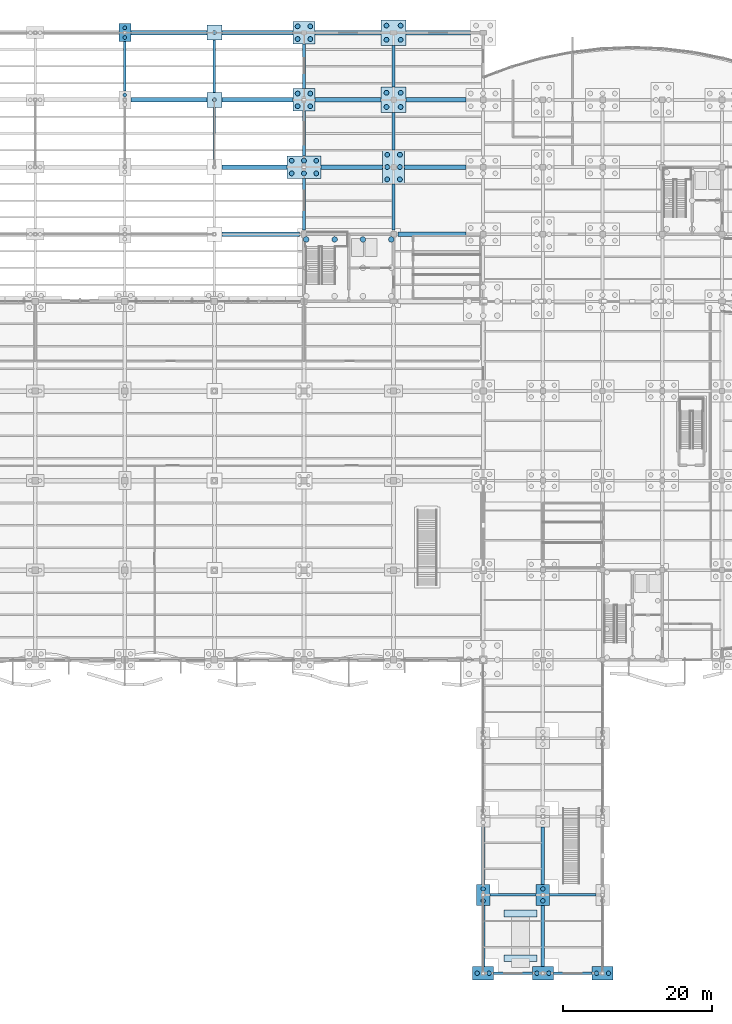
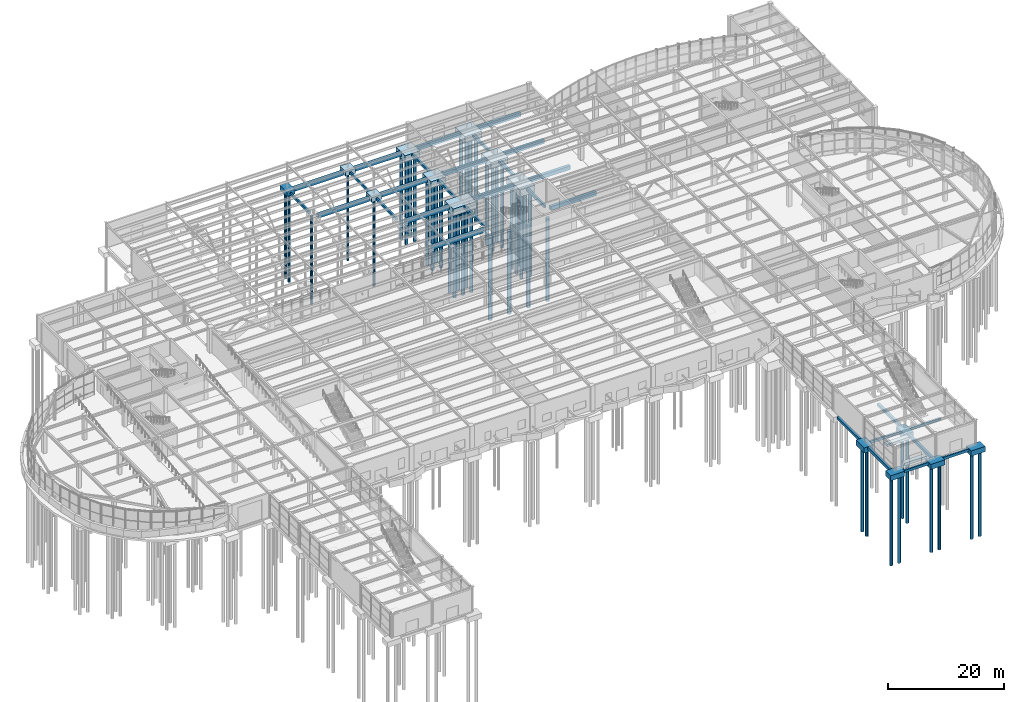
# One storey, part 6 of 85: 47 piles, 46 footings.
"""IFC4 building model written with IfcOpenShell, lengths in metres."""

from ifc_helpers import new_model, si_unit, direction, frame, origin, origin_2d, place, context, subcontext, project, spatial, polyline, rectangle, circle, outline, extrude, material, material_profile, profile_set, type_object, element, save


model = new_model("IFC4")

# Units and contexts
model_context = context("Model", 3, precision=1e-05, world=origin(), true_north=direction((0.0, 1.0)))
body_context = subcontext(model_context, "Body", "Model", "MODEL_VIEW")
ifc_project = project(units=[si_unit("LENGTHUNIT", "METRE"), si_unit("AREAUNIT", "SQUARE_METRE"), si_unit("VOLUMEUNIT", "CUBIC_METRE"), si_unit("PLANEANGLEUNIT", "RADIAN"), si_unit("MASSUNIT", "GRAM", prefix="KILO")], contexts=[model_context])

# Site, building, storey
site_placement = place(None, origin())
site = spatial("IfcSite", under=ifc_project, at=site_placement, CompositionType="ELEMENT")
building_placement = place(site_placement, origin())
building = spatial("IfcBuilding", under=site, at=building_placement, Name="Keelwater Ferry Terminal", CompositionType="ELEMENT")
storey_placement = place(building_placement, origin())
storey = spatial("IfcBuildingStorey", under=building, at=storey_placement, Name="L00", CompositionType="ELEMENT", Elevation=0.0)

# Piles
ifc_material_1 = material(Name="Concrete C45/55", Category="concrete")
ifc_material_profile_1 = material_profile(ifc_material_1, circle(Radius=0.375, at=origin_2d()), Name="PILE D750")
ifc_profile_set_1 = profile_set([ifc_material_profile_1], Name="Concrete C45/55")
pile_type_1 = type_object("IfcPileType", Name="P1 PILE D750", PredefinedType="DRIVEN", material=ifc_profile_set_1)
for number, where, z_axis, x_axis, name in (
    (1, (108.300048828125, 98.300048828125, -2.10009765625), (0.0, 0.0, -1.0), (1.0, 0.0, 0.0), "Driven Pile 0015"),
    (2, (112.10009765625, 98.300048828125, -2.10009765625), (0.0, 0.0, -1.0), (1.0, 0.0, 0.0), "Driven Pile 0018"),
    (3, (115.89990234375, 98.300048828125, -2.10009765625), (0.0, 0.0, -1.0), (1.0, 0.0, 0.0), "Driven Pile 0021"),
    (4, (119.699951171875, 98.300048828125, -2.10009765625), (0.0, 0.0, -1.0), (1.0, 0.0, 0.0), "Driven Pile 0024"),
):
    element("IfcPile", number, at=place(storey_placement, frame(where, z_axis=z_axis, x_axis=x_axis)), inside=storey, type_object=pile_type_1, Name=name, PredefinedType="DRIVEN", context=body_context, shape_type="SweptSolid", body=[
        extrude(circle(Radius=0.375, at=origin_2d()), origin(), (0.0, 0.0, 1.0), 17.39990234375),
    ])
ifc_material_2 = material(Name="Concrete C45/55", Category="concrete")
ifc_material_profile_2 = material_profile(ifc_material_2, circle(Radius=0.324951171875, at=origin_2d()), Name="PILE D650")
ifc_profile_set_2 = profile_set([ifc_material_profile_2], Name="Concrete C45/55")
pile_type_2 = type_object("IfcPileType", Name="P2 PILE D650", PredefinedType="DRIVEN", material=ifc_profile_set_2)
for number, where, z_axis, x_axis, name in (
    (5, (106.35009765625, 107.14990234375, -1.800048828125), (0.0, 0.0, -1.0), (1.0, 0.0, 0.0), "Driven Pile 0299"),
    (6, (108.0, 107.14990234375, -1.800048828125), (0.0, 0.0, -1.0), (1.0, 0.0, 0.0), "Driven Pile 0300"),
    (7, (109.64990234375, 107.14990234375, -1.800048828125), (0.0, 0.0, -1.0), (1.0, 0.0, 0.0), "Driven Pile 0301"),
    (8, (106.35009765625, 108.85009765625, -1.800048828125), (0.0, 0.0, -1.0), (1.0, 0.0, 0.0), "Driven Pile 0302"),
    (9, (108.0, 108.85009765625, -1.800048828125), (0.0, 0.0, -1.0), (1.0, 0.0, 0.0), "Driven Pile 0303"),
    (10, (109.64990234375, 108.85009765625, -1.800048828125), (0.0, 0.0, -1.0), (1.0, 0.0, 0.0), "Driven Pile 0304"),
):
    element("IfcPile", number, at=place(storey_placement, frame(where, z_axis=z_axis, x_axis=x_axis)), inside=storey, type_object=pile_type_2, Name=name, PredefinedType="DRIVEN", context=body_context, shape_type="SweptSolid", body=[
        extrude(circle(Radius=0.324951171875, at=origin_2d()), origin(), (0.0, 0.0, 1.0), 17.699951171875),
    ])
for number, where, z_axis, x_axis, name in (
    (11, (107.14990234375, 116.14990234375, -1.60009765625), (0.0, 0.0, -1.0), (1.0, 0.0, 0.0), "Driven Pile 0305"),
    (12, (108.85009765625, 116.14990234375, -1.60009765625), (0.0, 0.0, -1.0), (1.0, 0.0, 0.0), "Driven Pile 0306"),
    (13, (107.14990234375, 117.85009765625, -1.60009765625), (0.0, 0.0, -1.0), (1.0, 0.0, 0.0), "Driven Pile 0307"),
    (14, (108.85009765625, 117.85009765625, -1.60009765625), (0.0, 0.0, -1.0), (1.0, 0.0, 0.0), "Driven Pile 0308"),
    (15, (107.14990234375, 125.14990234375, -1.60009765625), (0.0, 0.0, -1.0), (1.0, 0.0, 0.0), "Driven Pile 0309"),
    (16, (108.85009765625, 125.14990234375, -1.60009765625), (0.0, 0.0, -1.0), (1.0, 0.0, 0.0), "Driven Pile 0310"),
    (17, (107.14990234375, 126.85009765625, -1.60009765625), (0.0, 0.0, -1.0), (1.0, 0.0, 0.0), "Driven Pile 0311"),
    (18, (108.85009765625, 126.85009765625, -1.60009765625), (0.0, 0.0, -1.0), (1.0, 0.0, 0.0), "Driven Pile 0312"),
):
    element("IfcPile", number, at=place(storey_placement, frame(where, z_axis=z_axis, x_axis=x_axis)), inside=storey, type_object=pile_type_2, Name=name, PredefinedType="DRIVEN", context=body_context, shape_type="SweptSolid", body=[
        extrude(circle(Radius=0.324951171875, at=origin_2d()), origin(), (0.0, 0.0, 1.0), 17.89990234375),
    ])
for number, where, z_axis, x_axis, name in (
    (19, (119.14990234375, 106.35009765625, -1.800048828125), (0.0, 0.0, -1.0), (1.0, 0.0, 0.0), "Driven Pile 0323"),
    (20, (120.85009765625, 106.35009765625, -1.800048828125), (0.0, 0.0, -1.0), (1.0, 0.0, 0.0), "Driven Pile 0324"),
    (21, (119.14990234375, 108.0, -1.800048828125), (0.0, 0.0, -1.0), (1.0, 0.0, 0.0), "Driven Pile 0325"),
    (22, (120.85009765625, 108.0, -1.800048828125), (0.0, 0.0, -1.0), (1.0, 0.0, 0.0), "Driven Pile 0326"),
    (23, (119.14990234375, 109.64990234375, -1.800048828125), (0.0, 0.0, -1.0), (1.0, 0.0, 0.0), "Driven Pile 0327"),
    (24, (120.85009765625, 109.64990234375, -1.800048828125), (0.0, 0.0, -1.0), (1.0, 0.0, 0.0), "Driven Pile 0328"),
):
    element("IfcPile", number, at=place(storey_placement, frame(where, z_axis=z_axis, x_axis=x_axis)), inside=storey, type_object=pile_type_2, Name=name, PredefinedType="DRIVEN", context=body_context, shape_type="SweptSolid", body=[
        extrude(circle(Radius=0.324951171875, at=origin_2d()), origin(), (0.0, 0.0, 1.0), 17.699951171875),
    ])
for number, where, z_axis, x_axis, name in (
    (25, (119.050048828125, 116.050048828125, -1.699951171875), (0.0, 0.0, -1.0), (1.0, 0.0, 0.0), "Driven Pile 0329"),
    (26, (120.949951171875, 116.050048828125, -1.699951171875), (0.0, 0.0, -1.0), (1.0, 0.0, 0.0), "Driven Pile 0330"),
    (27, (119.050048828125, 117.949951171875, -1.699951171875), (0.0, 0.0, -1.0), (1.0, 0.0, 0.0), "Driven Pile 0331"),
    (28, (120.949951171875, 117.949951171875, -1.699951171875), (0.0, 0.0, -1.0), (1.0, 0.0, 0.0), "Driven Pile 0332"),
    (29, (119.050048828125, 125.050048828125, -1.699951171875), (0.0, 0.0, -1.0), (1.0, 0.0, 0.0), "Driven Pile 0333"),
    (30, (120.949951171875, 125.050048828125, -1.699951171875), (0.0, 0.0, -1.0), (1.0, 0.0, 0.0), "Driven Pile 0334"),
    (31, (119.050048828125, 126.949951171875, -1.699951171875), (0.0, 0.0, -1.0), (1.0, 0.0, 0.0), "Driven Pile 0335"),
    (32, (120.949951171875, 126.949951171875, -1.699951171875), (0.0, 0.0, -1.0), (1.0, 0.0, 0.0), "Driven Pile 0336"),
):
    element("IfcPile", number, at=place(storey_placement, frame(where, z_axis=z_axis, x_axis=x_axis)), inside=storey, type_object=pile_type_2, Name=name, PredefinedType="DRIVEN", context=body_context, shape_type="SweptSolid", body=[
        extrude(circle(Radius=0.324951171875, at=origin_2d()), origin(), (0.0, 0.0, 1.0), 17.800048828125),
    ])
ifc_material_3 = material(Name="Concrete C45/55", Category="concrete")
ifc_material_profile_3 = material_profile(ifc_material_3, circle(Radius=0.300048828125, at=origin_2d()), Name="PILE D600")
ifc_profile_set_3 = profile_set([ifc_material_profile_3], Name="Concrete C45/55")
pile_type_3 = type_object("IfcPileType", Name="P3 PILE D600", PredefinedType="DRIVEN", material=ifc_profile_set_3)
for number, where, z_axis, x_axis, name in (
    (33, (131.199951171875, 0.0, -1.0), (0.0, 0.0, -1.0), (1.0, 0.0, 0.0), "Driven Pile 0337"),
    (34, (132.800048828125, 0.0, -1.0), (0.0, 0.0, -1.0), (1.0, 0.0, 0.0), "Driven Pile 0338"),
):
    element("IfcPile", number, at=place(storey_placement, frame(where, z_axis=z_axis, x_axis=x_axis)), inside=storey, type_object=pile_type_3, Name=name, PredefinedType="DRIVEN", context=body_context, shape_type="SweptSolid", body=[
        extrude(circle(Radius=0.300048828125, at=origin_2d()), origin(), (0.0, 0.0, 1.0), 18.5),
    ])
for number, where, z_axis, x_axis, name in (
    (35, (132.0, 9.699951171875, -1.39990234375), (0.0, 0.0, -1.0), (1.0, 0.0, 0.0), "Driven Pile 0339"),
    (36, (132.0, 11.300048828125, -1.39990234375), (0.0, 0.0, -1.0), (1.0, 0.0, 0.0), "Driven Pile 0340"),
    (37, (139.199951171875, 0.0, -1.39990234375), (0.0, 0.0, -1.0), (1.0, 0.0, 0.0), "Driven Pile 0397"),
    (38, (140.800048828125, 0.0, -1.39990234375), (0.0, 0.0, -1.0), (1.0, 0.0, 0.0), "Driven Pile 0398"),
    (39, (140.0, 9.699951171875, -1.39990234375), (0.0, 0.0, -1.0), (1.0, 0.0, 0.0), "Driven Pile 0399"),
    (40, (140.0, 11.300048828125, -1.39990234375), (0.0, 0.0, -1.0), (1.0, 0.0, 0.0), "Driven Pile 0400"),
    (41, (147.199951171875, 0.0, -1.39990234375), (0.0, 0.0, -1.0), (1.0, 0.0, 0.0), "Driven Pile 0451"),
    (42, (148.800048828125, 0.0, -1.39990234375), (0.0, 0.0, -1.0), (1.0, 0.0, 0.0), "Driven Pile 0452"),
):
    element("IfcPile", number, at=place(storey_placement, frame(where, z_axis=z_axis, x_axis=x_axis)), inside=storey, type_object=pile_type_3, Name=name, PredefinedType="DRIVEN", context=body_context, shape_type="SweptSolid", body=[
        extrude(circle(Radius=0.300048828125, at=origin_2d()), origin(), (0.0, 0.0, 1.0), 18.10009765625),
    ])
ifc_material_4 = material(Name="Concrete C45/55", Category="concrete")
ifc_material_profile_4 = material_profile(ifc_material_4, circle(Radius=0.25, at=origin_2d()), Name="PILE D500")
ifc_profile_set_4 = profile_set([ifc_material_profile_4], Name="Concrete C45/55")
pile_type_4 = type_object("IfcPileType", Name="P4 PILE D500", PredefinedType="DRIVEN", material=ifc_profile_set_4)
for number, where, z_axis, x_axis, name in (
    (43, (84.0, 117.64990234375, -0.89990234375), (0.0, 0.0, -1.0), (1.0, 0.0, 0.0), "Driven Pile 0265"),
    (44, (84.0, 125.35009765625, -0.89990234375), (0.0, 0.0, -1.0), (1.0, 0.0, 0.0), "Driven Pile 0266"),
    (45, (84.0, 126.64990234375, -0.89990234375), (0.0, 0.0, -1.0), (1.0, 0.0, 0.0), "Driven Pile 0267"),
    (46, (96.0, 117.0, -0.89990234375), (0.0, 0.0, -1.0), (1.0, 0.0, 0.0), "Driven Pile 0281"),
    (47, (96.0, 126.0, -0.89990234375), (0.0, 0.0, -1.0), (1.0, 0.0, 0.0), "Driven Pile 0282"),
):
    element("IfcPile", number, at=place(storey_placement, frame(where, z_axis=z_axis, x_axis=x_axis)), inside=storey, type_object=pile_type_4, Name=name, PredefinedType="DRIVEN", context=body_context, shape_type="SweptSolid", body=[
        extrude(circle(Radius=0.25, at=origin_2d()), origin(), (0.0, 0.0, 1.0), 18.60009765625),
    ])

# Footings
ifc_material_5 = material(Name="Concrete C40/50", Category="concrete")
footing_type_1 = type_object("IfcFootingType", Name="PC01 2000x2000x1000", PredefinedType="PILE_CAP", material=ifc_material_5)
footing_1_placement = place(storey_placement, frame((0.0, 0.0, -1.0)))
element("IfcFooting", 48, at=footing_1_placement, inside=storey, type_object=footing_type_1, Name="Pile Cap FT-CAP-0079", PredefinedType="PILE_CAP", context=body_context, shape_type="SweptSolid", body=[
    extrude(outline(polyline([(95.0, 116.0), (97.0, 116.0), (97.0, 118.0), (95.0, 118.0), (95.0, 116.0)])), origin(), (0.0, 0.0, 1.0), 1.0),
])
footing_2_placement = place(storey_placement, frame((0.0, 0.0, -1.0)))
element("IfcFooting", 49, at=footing_2_placement, inside=storey, type_object=footing_type_1, Name="Pile Cap FT-CAP-0080", PredefinedType="PILE_CAP", context=body_context, shape_type="SweptSolid", body=[
    extrude(outline(polyline([(95.0, 125.0), (97.0, 125.0), (97.0, 127.0), (95.0, 127.0), (95.0, 125.0)])), origin(), (0.0, 0.0, 1.0), 1.0),
])
ifc_material_6 = material(Name="Concrete C40/50", Category="concrete")
footing_type_2 = type_object("IfcFootingType", Name="PC02 2800x1800x1100", PredefinedType="PILE_CAP", material=ifc_material_6)
footing_3_placement = place(storey_placement, frame((0.0, 0.0, -1.10009765625)))
element("IfcFooting", 50, at=footing_3_placement, inside=storey, type_object=footing_type_2, Name="Pile Cap FT-CAP-0095", PredefinedType="PILE_CAP", context=body_context, shape_type="SweptSolid", body=[
    extrude(outline(polyline([(130.60009765625, -0.89990234375), (133.39990234375, -0.89990234375), (133.39990234375, 0.89990234375), (130.60009765625, 0.89990234375), (130.60009765625, -0.89990234375)])), origin(), (0.0, 0.0, 1.0), 1.10009765625),
])
footing_4_placement = place(storey_placement, frame((0.0, 0.0, -1.5)))
element("IfcFooting", 51, at=footing_4_placement, inside=storey, type_object=footing_type_2, Name="Pile Cap FT-CAP-0108", PredefinedType="PILE_CAP", context=body_context, shape_type="SweptSolid", body=[
    extrude(outline(polyline([(138.60009765625, -0.89990234375), (141.39990234375, -0.89990234375), (141.39990234375, 0.89990234375), (138.60009765625, 0.89990234375), (138.60009765625, -0.89990234375)])), origin(), (0.0, 0.0, 1.0), 1.10009765625),
])
footing_5_placement = place(storey_placement, frame((0.0, 0.0, -1.5)))
element("IfcFooting", 52, at=footing_5_placement, inside=storey, type_object=footing_type_2, Name="Pile Cap FT-CAP-0120", PredefinedType="PILE_CAP", context=body_context, shape_type="SweptSolid", body=[
    extrude(outline(polyline([(146.60009765625, -0.89990234375), (149.39990234375, -0.89990234375), (149.39990234375, 0.89990234375), (146.60009765625, 0.89990234375), (146.60009765625, -0.89990234375)])), origin(), (0.0, 0.0, 1.0), 1.10009765625),
])
ifc_material_7 = material(Name="Concrete C40/50", Category="concrete")
footing_type_3 = type_object("IfcFootingType", Name="PC03 1800x2800x1100", PredefinedType="PILE_CAP", material=ifc_material_7)
footing_6_placement = place(storey_placement, frame((0.0, 0.0, -1.5)))
element("IfcFooting", 53, at=footing_6_placement, inside=storey, type_object=footing_type_3, Name="Pile Cap FT-CAP-0096", PredefinedType="PILE_CAP", context=body_context, shape_type="SweptSolid", body=[
    extrude(outline(polyline([(131.10009765625, 9.10009765625), (132.89990234375, 9.10009765625), (132.89990234375, 11.89990234375), (131.10009765625, 11.89990234375), (131.10009765625, 9.10009765625)])), origin(), (0.0, 0.0, 1.0), 1.10009765625),
])
footing_7_placement = place(storey_placement, frame((0.0, 0.0, -1.5)))
element("IfcFooting", 54, at=footing_7_placement, inside=storey, type_object=footing_type_3, Name="Pile Cap FT-CAP-0109", PredefinedType="PILE_CAP", context=body_context, shape_type="SweptSolid", body=[
    extrude(outline(polyline([(139.10009765625, 9.10009765625), (140.89990234375, 9.10009765625), (140.89990234375, 11.89990234375), (139.10009765625, 11.89990234375), (139.10009765625, 9.10009765625)])), origin(), (0.0, 0.0, 1.0), 1.10009765625),
])
ifc_material_8 = material(Name="Concrete C40/50", Category="concrete")
footing_type_4 = type_object("IfcFootingType", Name="PC05 3000x3000x1300", PredefinedType="PILE_CAP", material=ifc_material_8)
footing_8_placement = place(storey_placement, frame((0.0, 0.0, -1.699951171875)))
element("IfcFooting", 55, at=footing_8_placement, inside=storey, type_object=footing_type_4, Name="Pile Cap FT-CAP-0086", PredefinedType="PILE_CAP", context=body_context, shape_type="SweptSolid", body=[
    extrude(outline(polyline([(106.5, 115.5), (109.5, 115.5), (109.5, 118.5), (106.5, 118.5), (106.5, 115.5)])), origin(), (0.0, 0.0, 1.0), 1.300048828125),
])
footing_9_placement = place(storey_placement, frame((0.0, 0.0, -1.699951171875)))
element("IfcFooting", 56, at=footing_9_placement, inside=storey, type_object=footing_type_4, Name="Pile Cap FT-CAP-0087", PredefinedType="PILE_CAP", context=body_context, shape_type="SweptSolid", body=[
    extrude(outline(polyline([(106.5, 124.5), (109.5, 124.5), (109.5, 127.5), (106.5, 127.5), (106.5, 124.5)])), origin(), (0.0, 0.0, 1.0), 1.300048828125),
])
ifc_material_9 = material(Name="Concrete C40/50", Category="concrete")
footing_type_5 = type_object("IfcFootingType", Name="PC06 3400x3400x1400", PredefinedType="PILE_CAP", material=ifc_material_9)
footing_10_placement = place(storey_placement, frame((0.0, 0.0, -1.800048828125)))
element("IfcFooting", 57, at=footing_10_placement, inside=storey, type_object=footing_type_5, Name="Pile Cap FT-CAP-0093", PredefinedType="PILE_CAP", context=body_context, shape_type="SweptSolid", body=[
    extrude(outline(polyline([(118.300048828125, 115.300048828125), (121.699951171875, 115.300048828125), (121.699951171875, 118.699951171875), (118.300048828125, 118.699951171875), (118.300048828125, 115.300048828125)])), origin(), (0.0, 0.0, 1.0), 1.400146484375),
])
footing_11_placement = place(storey_placement, frame((0.0, 0.0, -1.800048828125)))
element("IfcFooting", 58, at=footing_11_placement, inside=storey, type_object=footing_type_5, Name="Pile Cap FT-CAP-0094", PredefinedType="PILE_CAP", context=body_context, shape_type="SweptSolid", body=[
    extrude(outline(polyline([(118.300048828125, 124.300048828125), (121.699951171875, 124.300048828125), (121.699951171875, 127.699951171875), (118.300048828125, 127.699951171875), (118.300048828125, 124.300048828125)])), origin(), (0.0, 0.0, 1.0), 1.400146484375),
])
ifc_material_10 = material(Name="Concrete C40/50", Category="concrete")
footing_type_6 = type_object("IfcFootingType", Name="PC07 4600x3000x1500", PredefinedType="PILE_CAP", material=ifc_material_10)
footing_12_placement = place(storey_placement, frame((0.0, 0.0, -1.89990234375)))
element("IfcFooting", 59, at=footing_12_placement, inside=storey, type_object=footing_type_6, Name="Pile Cap FT-CAP-0085", PredefinedType="PILE_CAP", context=body_context, shape_type="SweptSolid", body=[
    extrude(outline(polyline([(105.699951171875, 106.5), (110.300048828125, 106.5), (110.300048828125, 109.5), (105.699951171875, 109.5), (105.699951171875, 106.5)])), origin(), (0.0, 0.0, 1.0), 1.5),
])
ifc_material_11 = material(Name="Concrete C40/50", Category="concrete")
footing_type_7 = type_object("IfcFootingType", Name="PC08 3000x4600x1500", PredefinedType="PILE_CAP", material=ifc_material_11)
footing_13_placement = place(storey_placement, frame((0.0, 0.0, -1.89990234375)))
element("IfcFooting", 60, at=footing_13_placement, inside=storey, type_object=footing_type_7, Name="Pile Cap FT-CAP-0092", PredefinedType="PILE_CAP", context=body_context, shape_type="SweptSolid", body=[
    extrude(outline(polyline([(118.5, 105.699951171875), (121.5, 105.699951171875), (121.5, 110.300048828125), (118.5, 110.300048828125), (118.5, 105.699951171875)])), origin(), (0.0, 0.0, 1.0), 1.5),
])
ifc_material_12 = material(Name="Concrete C40/50", Category="concrete")
footing_type_8 = type_object("IfcFootingType", Name="PC12 1600x2400x1000", PredefinedType="PILE_CAP", material=ifc_material_12)
footing_14_placement = place(storey_placement, frame((0.0, 0.0, -1.0)))
element("IfcFooting", 61, at=footing_14_placement, inside=storey, type_object=footing_type_8, Name="Pile Cap FT-CAP-0071", PredefinedType="PILE_CAP", context=body_context, shape_type="SweptSolid", body=[
    extrude(outline(polyline([(83.199951171875, 124.800048828125), (84.800048828125, 124.800048828125), (84.800048828125, 127.199951171875), (83.199951171875, 127.199951171875), (83.199951171875, 124.800048828125)])), origin(), (0.0, 0.0, 1.0), 1.0),
])
ifc_material_13 = material(Name="Concrete C40/50", Category="concrete")
footing_type_9 = type_object("IfcFootingType", Name="PF01 4400x900x500", PredefinedType="PAD_FOOTING", material=ifc_material_13)
footing_15_placement = place(storey_placement, frame((0.0, 0.0, -0.85009765625)))
element("IfcFooting", 62, at=footing_15_placement, inside=storey, type_object=footing_type_9, Name="Ramp BR2 Threshold Pad Footing 1", PredefinedType="PAD_FOOTING", context=body_context, shape_type="SweptSolid", body=[
    extrude(outline(polyline([(134.800048828125, 1.550048828125), (139.199951171875, 1.550048828125), (139.199951171875, 2.449951171875), (134.800048828125, 2.449951171875), (134.800048828125, 1.550048828125)])), origin(), (0.0, 0.0, 1.0), 0.5),
])
footing_16_placement = place(storey_placement, frame((0.0, 0.0, -0.5)))
element("IfcFooting", 63, at=footing_16_placement, inside=storey, type_object=footing_type_9, Name="Ramp BR2 Threshold Pad Footing 2", PredefinedType="PAD_FOOTING", context=body_context, shape_type="SweptSolid", body=[
    extrude(outline(polyline([(134.800048828125, 7.550048828125), (139.199951171875, 7.550048828125), (139.199951171875, 8.449951171875), (134.800048828125, 8.449951171875), (134.800048828125, 7.550048828125)])), origin(), (0.0, 0.0, 1.0), 0.5),
])
ifc_material_14 = material(Name="Concrete C40/50", Category="concrete")
ifc_material_profile_5 = material_profile(ifc_material_14, rectangle(XDim=0.60009765625, YDim=0.800048828125, at=origin_2d()), Name="TB 600x800")
ifc_profile_set_5 = profile_set([ifc_material_profile_5], Name="Concrete C40/50")
footing_type_10 = type_object("IfcFootingType", Name="TB1 600x800", PredefinedType="FOOTING_BEAM", material=ifc_profile_set_5)
footing_17_placement = place(storey_placement, frame((97.0, 99.0, -0.800048828125), z_axis=(1.0, 0.0, 0.0), x_axis=(0.0, 1.0, 0.0)))
element("IfcFooting", 64, at=footing_17_placement, inside=storey, type_object=footing_type_10, Name="Ground Tie Beam 0103", PredefinedType="FOOTING_BEAM", context=body_context, shape_type="SweptSolid", body=[
    extrude(rectangle(XDim=0.60009765625, YDim=0.800048828125, at=origin_2d()), origin(), (0.0, 0.0, 1.0), 10.39990234375),
])
footing_18_placement = place(storey_placement, frame((120.60009765625, 99.0, -0.800048828125), z_axis=(1.0, 0.0, 0.0), x_axis=(0.0, 1.0, 0.0)))
element("IfcFooting", 65, at=footing_18_placement, inside=storey, type_object=footing_type_10, Name="Ground Tie Beam 0104", PredefinedType="FOOTING_BEAM", context=body_context, shape_type="SweptSolid", body=[
    extrude(rectangle(XDim=0.60009765625, YDim=0.800048828125, at=origin_2d()), origin(), (0.0, 0.0, 1.0), 9.099853515625),
])
footing_19_placement = place(storey_placement, frame((97.0, 108.0, -0.800048828125), z_axis=(1.0, 0.0, 0.0), x_axis=(0.0, 1.0, 0.0)))
element("IfcFooting", 66, at=footing_19_placement, inside=storey, type_object=footing_type_10, Name="Ground Tie Beam 0117", PredefinedType="FOOTING_BEAM", context=body_context, shape_type="SweptSolid", body=[
    extrude(rectangle(XDim=0.60009765625, YDim=0.800048828125, at=origin_2d()), origin(), (0.0, 0.0, 1.0), 8.699951171875),
])
for number, where, z_axis, x_axis, name in (
    (67, (110.300048828125, 108.0, -0.800048828125), (1.0, 0.0, 0.0), (0.0, 1.0, 0.0), "Ground Tie Beam 0118"),
    (68, (121.5, 108.0, -0.800048828125), (1.0, 0.0, 0.0), (0.0, 1.0, 0.0), "Ground Tie Beam 0119"),
):
    element("IfcFooting", number, at=place(storey_placement, frame(where, z_axis=z_axis, x_axis=x_axis)), inside=storey, type_object=footing_type_10, Name=name, PredefinedType="FOOTING_BEAM", context=body_context, shape_type="SweptSolid", body=[
        extrude(rectangle(XDim=0.60009765625, YDim=0.800048828125, at=origin_2d()), origin(), (0.0, 0.0, 1.0), 8.199951171875),
    ])
footing_20_placement = place(storey_placement, frame((84.800048828125, 117.0, -0.800048828125), z_axis=(1.0, 0.0, 0.0), x_axis=(0.0, 1.0, 0.0)))
element("IfcFooting", 69, at=footing_20_placement, inside=storey, type_object=footing_type_10, Name="Ground Tie Beam 0128", PredefinedType="FOOTING_BEAM", context=body_context, shape_type="SweptSolid", body=[
    extrude(rectangle(XDim=0.60009765625, YDim=0.800048828125, at=origin_2d()), origin(), (0.0, 0.0, 1.0), 10.199951171875),
])
footing_21_placement = place(storey_placement, frame((97.0, 117.0, -0.800048828125), z_axis=(1.0, 0.0, 0.0), x_axis=(0.0, 1.0, 0.0)))
element("IfcFooting", 70, at=footing_21_placement, inside=storey, type_object=footing_type_10, Name="Ground Tie Beam 0129", PredefinedType="FOOTING_BEAM", context=body_context, shape_type="SweptSolid", body=[
    extrude(rectangle(XDim=0.60009765625, YDim=0.800048828125, at=origin_2d()), origin(), (0.0, 0.0, 1.0), 9.5),
])
footing_22_placement = place(storey_placement, frame((109.5, 117.0, -0.800048828125), z_axis=(1.0, 0.0, 0.0), x_axis=(0.0, 1.0, 0.0)))
element("IfcFooting", 71, at=footing_22_placement, inside=storey, type_object=footing_type_10, Name="Ground Tie Beam 0130", PredefinedType="FOOTING_BEAM", context=body_context, shape_type="SweptSolid", body=[
    extrude(rectangle(XDim=0.60009765625, YDim=0.800048828125, at=origin_2d()), origin(), (0.0, 0.0, 1.0), 8.800048828125),
])
footing_23_placement = place(storey_placement, frame((121.699951171875, 117.0, -0.800048828125), z_axis=(1.0, 0.0, 0.0), x_axis=(0.0, 1.0, 0.0)))
element("IfcFooting", 72, at=footing_23_placement, inside=storey, type_object=footing_type_10, Name="Ground Tie Beam 0131", PredefinedType="FOOTING_BEAM", context=body_context, shape_type="SweptSolid", body=[
    extrude(rectangle(XDim=0.60009765625, YDim=0.800048828125, at=origin_2d()), origin(), (0.0, 0.0, 1.0), 8.0),
])
footing_24_placement = place(storey_placement, frame((84.800048828125, 126.0, -0.800048828125), z_axis=(1.0, 0.0, 0.0), x_axis=(0.0, 1.0, 0.0)))
element("IfcFooting", 73, at=footing_24_placement, inside=storey, type_object=footing_type_10, Name="Ground Tie Beam 0141", PredefinedType="FOOTING_BEAM", context=body_context, shape_type="SweptSolid", body=[
    extrude(rectangle(XDim=0.60009765625, YDim=0.800048828125, at=origin_2d()), origin(), (0.0, 0.0, 1.0), 10.199951171875),
])
footing_25_placement = place(storey_placement, frame((97.0, 126.0, -0.800048828125), z_axis=(1.0, 0.0, 0.0), x_axis=(0.0, 1.0, 0.0)))
element("IfcFooting", 74, at=footing_25_placement, inside=storey, type_object=footing_type_10, Name="Ground Tie Beam 0142", PredefinedType="FOOTING_BEAM", context=body_context, shape_type="SweptSolid", body=[
    extrude(rectangle(XDim=0.60009765625, YDim=0.800048828125, at=origin_2d()), origin(), (0.0, 0.0, 1.0), 9.5),
])
footing_26_placement = place(storey_placement, frame((109.5, 126.0, -0.800048828125), z_axis=(1.0, 0.0, 0.0), x_axis=(0.0, 1.0, 0.0)))
element("IfcFooting", 75, at=footing_26_placement, inside=storey, type_object=footing_type_10, Name="Ground Tie Beam 0143", PredefinedType="FOOTING_BEAM", context=body_context, shape_type="SweptSolid", body=[
    extrude(rectangle(XDim=0.60009765625, YDim=0.800048828125, at=origin_2d()), origin(), (0.0, 0.0, 1.0), 8.800048828125),
])
footing_27_placement = place(storey_placement, frame((121.699951171875, 126.0, -0.800048828125), z_axis=(1.0, 0.0, 0.0), x_axis=(0.0, 1.0, 0.0)))
element("IfcFooting", 76, at=footing_27_placement, inside=storey, type_object=footing_type_10, Name="Ground Tie Beam 0144", PredefinedType="FOOTING_BEAM", context=body_context, shape_type="SweptSolid", body=[
    extrude(rectangle(XDim=0.60009765625, YDim=0.800048828125, at=origin_2d()), origin(), (0.0, 0.0, 1.0), 8.60009765625),
])
ifc_material_15 = material(Name="Concrete C40/50", Category="concrete")
ifc_material_profile_6 = material_profile(ifc_material_15, rectangle(XDim=0.449951171875, YDim=0.60009765625, at=origin_2d()), Name="TB 450x600")
ifc_profile_set_6 = profile_set([ifc_material_profile_6], Name="Concrete C40/50")
footing_type_11 = type_object("IfcFootingType", Name="TB4 450x600", PredefinedType="FOOTING_BEAM", material=ifc_profile_set_6)
footing_28_placement = place(storey_placement, frame((132.0, 0.89990234375, -0.699951171875), z_axis=(0.0, 1.0, 0.0), x_axis=(-1.0, 0.0, 0.0)))
element("IfcFooting", 77, at=footing_28_placement, inside=storey, type_object=footing_type_11, Name="Ground Tie Beam 0232", PredefinedType="FOOTING_BEAM", context=body_context, shape_type="SweptSolid", body=[
    extrude(rectangle(XDim=0.449951171875, YDim=0.60009765625, at=origin_2d()), origin(), (0.0, 0.0, 1.0), 8.2001953125),
])
footing_29_placement = place(storey_placement, frame((132.0, 11.89990234375, -0.699951171875), z_axis=(0.0, 1.0, 0.0), x_axis=(-1.0, 0.0, 0.0)))
element("IfcFooting", 78, at=footing_29_placement, inside=storey, type_object=footing_type_11, Name="Ground Tie Beam 0233", PredefinedType="FOOTING_BEAM", context=body_context, shape_type="SweptSolid", body=[
    extrude(rectangle(XDim=0.449951171875, YDim=0.60009765625, at=origin_2d()), origin(), (0.0, 0.0, 1.0), 7.7001953125),
])
footing_30_placement = place(storey_placement, frame((140.0, 0.89990234375, -0.699951171875), z_axis=(0.0, 1.0, 0.0), x_axis=(-1.0, 0.0, 0.0)))
element("IfcFooting", 79, at=footing_30_placement, inside=storey, type_object=footing_type_11, Name="Ground Tie Beam 0244", PredefinedType="FOOTING_BEAM", context=body_context, shape_type="SweptSolid", body=[
    extrude(rectangle(XDim=0.449951171875, YDim=0.60009765625, at=origin_2d()), origin(), (0.0, 0.0, 1.0), 8.2001953125),
])
footing_31_placement = place(storey_placement, frame((140.0, 11.89990234375, -0.699951171875), z_axis=(0.0, 1.0, 0.0), x_axis=(-1.0, 0.0, 0.0)))
element("IfcFooting", 80, at=footing_31_placement, inside=storey, type_object=footing_type_11, Name="Ground Tie Beam 0245", PredefinedType="FOOTING_BEAM", context=body_context, shape_type="SweptSolid", body=[
    extrude(rectangle(XDim=0.449951171875, YDim=0.60009765625, at=origin_2d()), origin(), (0.0, 0.0, 1.0), 7.7001953125),
])
ifc_material_16 = material(Name="Concrete C40/50", Category="concrete")
ifc_material_profile_7 = material_profile(ifc_material_16, rectangle(XDim=0.39990234375, YDim=0.550048828125, at=origin_2d()), Name="TB 400x550")
ifc_profile_set_7 = profile_set([ifc_material_profile_7], Name="Concrete C40/50")
footing_type_12 = type_object("IfcFootingType", Name="TB6 400x550", PredefinedType="FOOTING_BEAM", material=ifc_profile_set_7)
footing_32_placement = place(storey_placement, frame((108.0, 99.60009765625, -0.675048828125), z_axis=(0.0, 1.0, 0.0), x_axis=(-1.0, 0.0, 0.0)))
element("IfcFooting", 81, at=footing_32_placement, inside=storey, type_object=footing_type_12, Name="Ground Tie Beam 0222", PredefinedType="FOOTING_BEAM", context=body_context, shape_type="SweptSolid", body=[
    extrude(rectangle(XDim=0.39990234375, YDim=0.550048828125, at=origin_2d()), origin(), (0.0, 0.0, 1.0), 6.89990234375),
])
for number, where, z_axis, x_axis, name in (
    (82, (108.0, 109.5, -0.675048828125), (0.0, 1.0, 0.0), (-1.0, 0.0, 0.0), "Ground Tie Beam 0223"),
    (83, (108.0, 118.5, -0.675048828125), (0.0, 1.0, 0.0), (-1.0, 0.0, 0.0), "Ground Tie Beam 0224"),
):
    element("IfcFooting", number, at=place(storey_placement, frame(where, z_axis=z_axis, x_axis=x_axis)), inside=storey, type_object=footing_type_12, Name=name, PredefinedType="FOOTING_BEAM", context=body_context, shape_type="SweptSolid", body=[
        extrude(rectangle(XDim=0.39990234375, YDim=0.550048828125, at=origin_2d()), origin(), (0.0, 0.0, 1.0), 6.0),
    ])
footing_33_placement = place(storey_placement, frame((120.0, 99.60009765625, -0.675048828125), z_axis=(0.0, 1.0, 0.0), x_axis=(-1.0, 0.0, 0.0)))
element("IfcFooting", 84, at=footing_33_placement, inside=storey, type_object=footing_type_12, Name="Ground Tie Beam 0229", PredefinedType="FOOTING_BEAM", context=body_context, shape_type="SweptSolid", body=[
    extrude(rectangle(XDim=0.39990234375, YDim=0.550048828125, at=origin_2d()), origin(), (0.0, 0.0, 1.0), 6.099853515625),
])
footing_34_placement = place(storey_placement, frame((120.0, 110.300048828125, -0.675048828125), z_axis=(0.0, 1.0, 0.0), x_axis=(-1.0, 0.0, 0.0)))
element("IfcFooting", 85, at=footing_34_placement, inside=storey, type_object=footing_type_12, Name="Ground Tie Beam 0230", PredefinedType="FOOTING_BEAM", context=body_context, shape_type="SweptSolid", body=[
    extrude(rectangle(XDim=0.39990234375, YDim=0.550048828125, at=origin_2d()), origin(), (0.0, 0.0, 1.0), 5.0),
])
footing_35_placement = place(storey_placement, frame((120.0, 118.699951171875, -0.675048828125), z_axis=(0.0, 1.0, 0.0), x_axis=(-1.0, 0.0, 0.0)))
element("IfcFooting", 86, at=footing_35_placement, inside=storey, type_object=footing_type_12, Name="Ground Tie Beam 0231", PredefinedType="FOOTING_BEAM", context=body_context, shape_type="SweptSolid", body=[
    extrude(rectangle(XDim=0.39990234375, YDim=0.550048828125, at=origin_2d()), origin(), (0.0, 0.0, 1.0), 5.60009765625),
])
ifc_material_17 = material(Name="Concrete C40/50", Category="concrete")
ifc_material_profile_8 = material_profile(ifc_material_17, rectangle(XDim=0.35009765625, YDim=0.550048828125, at=origin_2d()), Name="TB 350x550")
ifc_profile_set_8 = profile_set([ifc_material_profile_8], Name="Concrete C40/50")
footing_type_13 = type_object("IfcFootingType", Name="TB7 350x550", PredefinedType="FOOTING_BEAM", material=ifc_profile_set_8)
for number, where, z_axis, x_axis, name in (
    (87, (133.39990234375, 0.0, -0.675048828125), (1.0, 0.0, 0.0), (0.0, 1.0, 0.0), "Ground Tie Beam 0003"),
    (88, (141.39990234375, 0.0, -0.675048828125), (1.0, 0.0, 0.0), (0.0, 1.0, 0.0), "Ground Tie Beam 0004"),
):
    element("IfcFooting", number, at=place(storey_placement, frame(where, z_axis=z_axis, x_axis=x_axis)), inside=storey, type_object=footing_type_13, Name=name, PredefinedType="FOOTING_BEAM", context=body_context, shape_type="SweptSolid", body=[
        extrude(rectangle(XDim=0.35009765625, YDim=0.550048828125, at=origin_2d()), origin(), (0.0, 0.0, 1.0), 5.2001953125),
    ])
for number, where, z_axis, x_axis, name in (
    (89, (132.89990234375, 10.5, -0.675048828125), (1.0, 0.0, 0.0), (0.0, 1.0, 0.0), "Ground Tie Beam 0007"),
    (90, (140.89990234375, 10.5, -0.675048828125), (1.0, 0.0, 0.0), (0.0, 1.0, 0.0), "Ground Tie Beam 0008"),
):
    element("IfcFooting", number, at=place(storey_placement, frame(where, z_axis=z_axis, x_axis=x_axis)), inside=storey, type_object=footing_type_13, Name=name, PredefinedType="FOOTING_BEAM", context=body_context, shape_type="SweptSolid", body=[
        extrude(rectangle(XDim=0.35009765625, YDim=0.550048828125, at=origin_2d()), origin(), (0.0, 0.0, 1.0), 6.2001953125),
    ])
ifc_material_18 = material(Name="Concrete C40/50", Category="concrete")
ifc_material_profile_9 = material_profile(ifc_material_18, rectangle(XDim=0.35009765625, YDim=0.5, at=origin_2d()), Name="TB 350x500")
ifc_profile_set_9 = profile_set([ifc_material_profile_9], Name="Concrete C40/50")
footing_type_14 = type_object("IfcFootingType", Name="TB8 350x500", PredefinedType="FOOTING_BEAM", material=ifc_profile_set_9)
footing_36_placement = place(storey_placement, frame((84.0, 118.199951171875, -0.64990234375), z_axis=(0.0, 1.0, 0.0), x_axis=(-1.0, 0.0, 0.0)))
element("IfcFooting", 91, at=footing_36_placement, inside=storey, type_object=footing_type_14, Name="Ground Tie Beam 0209", PredefinedType="FOOTING_BEAM", context=body_context, shape_type="SweptSolid", body=[
    extrude(rectangle(XDim=0.35009765625, YDim=0.5, at=origin_2d()), origin(), (0.0, 0.0, 1.0), 6.60009765625),
])
for number, where, z_axis, x_axis, name in (
    (92, (96.0, 109.0, -0.64990234375), (0.0, 1.0, 0.0), (-1.0, 0.0, 0.0), "Ground Tie Beam 0216"),
    (93, (96.0, 118.0, -0.64990234375), (0.0, 1.0, 0.0), (-1.0, 0.0, 0.0), "Ground Tie Beam 0217"),
):
    element("IfcFooting", number, at=place(storey_placement, frame(where, z_axis=z_axis, x_axis=x_axis)), inside=storey, type_object=footing_type_14, Name=name, PredefinedType="FOOTING_BEAM", context=body_context, shape_type="SweptSolid", body=[
        extrude(rectangle(XDim=0.35009765625, YDim=0.5, at=origin_2d()), origin(), (0.0, 0.0, 1.0), 7.0),
    ])

save(model, "model.ifc")
